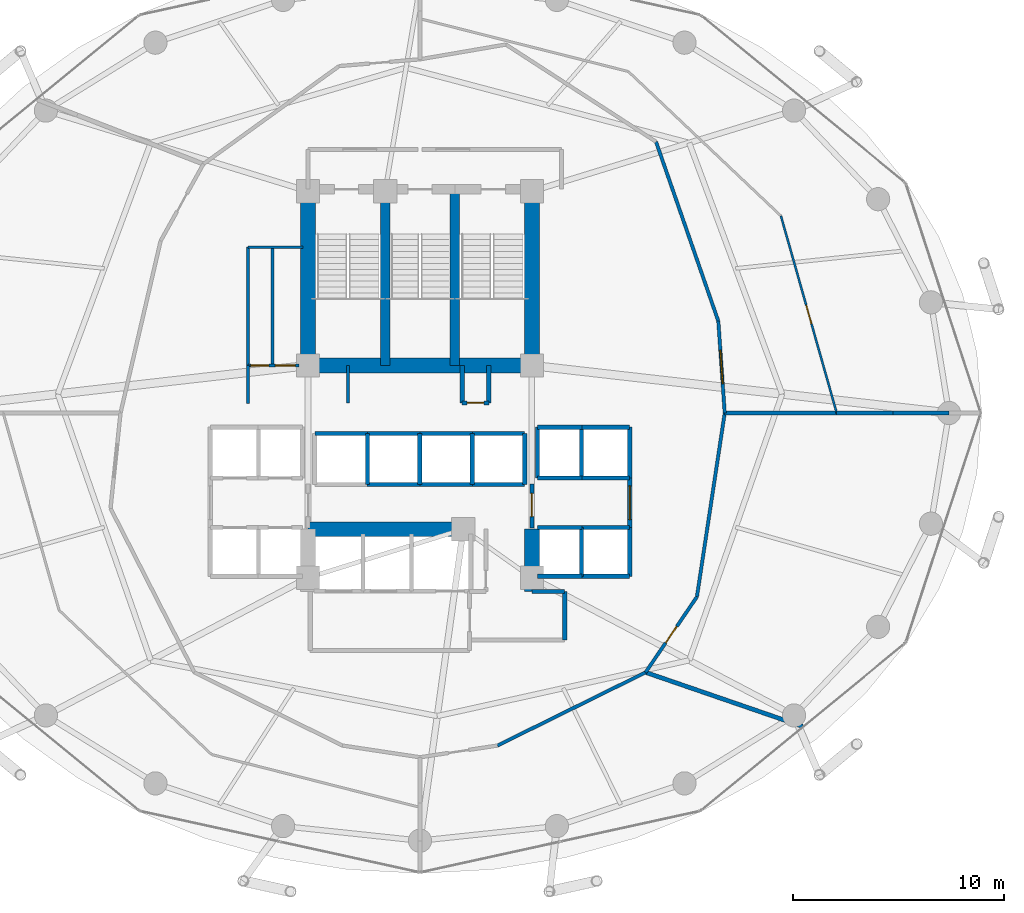
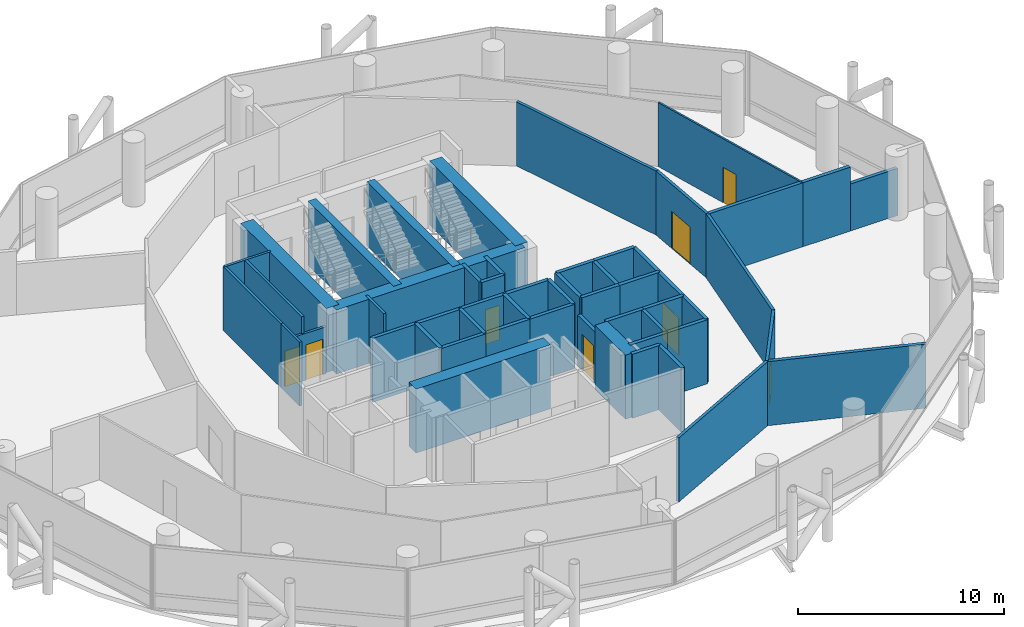
# One storey, part 22 of 24: 54 walls, 8 doors, 8 openings.
"""IFC4 building model written with IfcOpenShell, lengths in metres."""

from ifc_helpers import new_model, si_unit, direction, frame, frame_2d, origin, place, context, subcontext, project, spatial, rectangle, extrude, material, layer, layer_set, type_object, element, fill, save


model = new_model("IFC4")

# Units and contexts
model_context = context("Model", 3, precision=1e-05, world=origin(), true_north=direction((0.0, 1.0)))
body_context = subcontext(model_context, "Body", "Model", "MODEL_VIEW")
ifc_project = project(units=[si_unit("LENGTHUNIT", "METRE"), si_unit("AREAUNIT", "SQUARE_METRE"), si_unit("VOLUMEUNIT", "CUBIC_METRE"), si_unit("PLANEANGLEUNIT", "RADIAN"), si_unit("MASSUNIT", "GRAM", prefix="KILO")], contexts=[model_context])

# Site, building, storey
site_placement = place(None, origin())
site = spatial("IfcSite", under=ifc_project, at=site_placement, CompositionType="ELEMENT")
building_placement = place(site_placement, origin())
building = spatial("IfcBuilding", under=site, at=building_placement, Name="Nuhasar Tower", CompositionType="ELEMENT")
storey_placement = place(building_placement, frame((0.0, 0.0, 73.64990234375)))
storey = spatial("IfcBuildingStorey", under=building, at=storey_placement, Name="L17", CompositionType="ELEMENT", Elevation=73.64990234375)

# Walls
ifc_material_1 = material(Name="Concrete C50/60", Category="concrete")
ifc_layer_1 = layer(ifc_material_1, 0.449951171875)
ifc_layer_set_1 = layer_set([ifc_layer_1], Name="Concrete C50/60")
wall_type_1 = type_object("IfcWallType", Name="WL-CORE-450", PredefinedType="SHEAR", material=ifc_layer_set_1)
for number, where, z_axis, x_axis, name in (
    (1, (37.35009765625, 29.050048828125, 0.0), (0.0, 0.0, 1.0), (0.0, 1.0, 0.0), "L17 Stairwell Shear Wall ST01-E"),
    (2, (40.64990234375, 29.050048828125, 0.0), (0.0, 0.0, 1.0), (0.0, 1.0, 0.0), "L17 Stairwell Shear Wall ST03-E"),
):
    element("IfcWall", number, at=place(storey_placement, frame(where, z_axis=z_axis, x_axis=x_axis)), inside=storey, type_object=wall_type_1, Name=name, PredefinedType="SHEAR", context=body_context, shape_type="SweptSolid", body=[
        extrude(rectangle(XDim=8.349853515625, YDim=0.449951171875, at=frame_2d((4.1748046875, 0.0))), origin(), (0.0, 0.0, 1.0), 3.800048828125),
    ])
ifc_material_2 = material(Name="Concrete C65/80", Category="concrete")
ifc_layer_2 = layer(ifc_material_2, 0.699951171875)
ifc_layer_set_2 = layer_set([ifc_layer_2], Name="Concrete C65/80")
wall_type_2 = type_object("IfcWallType", Name="WL-CORE-700", PredefinedType="SHEAR", material=ifc_layer_set_2)
for number, where, z_axis, x_axis, name in (
    (3, (33.699951171875, 29.050048828125, 0.0), (0.0, 0.0, 1.0), (0.0, 1.0, 0.0), "L17 Core Shear Wall CW-NW CW-700"),
    (4, (44.300048828125, 29.050048828125, 0.0), (0.0, 0.0, 1.0), (0.0, 1.0, 0.0), "L17 Core Shear Wall CW-NE CW-700"),
):
    element("IfcWall", number, at=place(storey_placement, frame(where, z_axis=z_axis, x_axis=x_axis)), inside=storey, type_object=wall_type_2, Name=name, PredefinedType="SHEAR", context=body_context, shape_type="SweptSolid", body=[
        extrude(rectangle(XDim=8.349853515625, YDim=0.699951171875, at=frame_2d((4.1748046875, 0.0))), origin(), (0.0, 0.0, 1.0), 3.800048828125),
    ])
wall_1_placement = place(storey_placement, frame((44.300048828125, 18.35009765625, 0.0), z_axis=(0.0, 0.0, 1.0), x_axis=(0.0, 1.0, 0.0)))
element("IfcWall", 5, at=wall_1_placement, inside=storey, type_object=wall_type_2, Name="L17 Core Shear Wall CW-SE CW-700", PredefinedType="SHEAR", context=body_context, shape_type="SweptSolid", body=[
    extrude(rectangle(XDim=2.949951171875, YDim=0.699951171875, at=frame_2d((1.47509765625, 0.0))), origin(), (0.0, 0.0, 1.0), 3.800048828125),
])
wall_2_placement = place(storey_placement, frame((33.699951171875, 29.050048828125, 0.0), z_axis=(0.0, 0.0, 1.0), x_axis=(1.0, 0.0, 0.0)))
element("IfcWall", 6, at=wall_2_placement, inside=storey, type_object=wall_type_2, Name="L17 Core Shear Wall CW-N1 CW-700", PredefinedType="SHEAR", context=body_context, shape_type="SweptSolid", body=[
    extrude(rectangle(XDim=10.60009765625, YDim=0.699951171875, at=frame_2d((5.300048828125, 0.0))), origin(), (0.0, 0.0, 1.0), 3.800048828125),
])
wall_3_placement = place(storey_placement, frame((33.699951171875, 21.300048828125, 0.0), z_axis=(0.0, 0.0, 1.0), x_axis=(1.0, 0.0, 0.0)))
element("IfcWall", 7, at=wall_3_placement, inside=storey, type_object=wall_type_2, Name="L17 Core Shear Wall CW-S1 CW-700", PredefinedType="SHEAR", context=body_context, shape_type="SweptSolid", body=[
    extrude(rectangle(XDim=7.550048828125, YDim=0.699951171875, at=frame_2d((3.77490234375, 0.0))), origin(), (0.0, 0.0, 1.0), 3.800048828125),
])

# Wall, opening, door
ifc_material_3 = material(Name="Gypsum Board", Category="gypsum")
ifc_layer_3 = layer(ifc_material_3, 0.159912109375)
ifc_layer_set_3 = layer_set([ifc_layer_3], Name="Gypsum Board")
wall_type_3 = type_object("IfcWallType", Name="WL-CORR-160", PredefinedType="PARTITIONING", material=ifc_layer_set_3)
wall_4_placement = place(storey_placement, frame((53.126953125, 31.15087890625, 0.0), z_axis=(0.0, 0.0, 1.0), x_axis=(0.06946871143, -0.997584130854, 0.0)))
wall_4 = element("IfcWall", 8, at=wall_4_placement, inside=storey, type_object=wall_type_3, Name="L17 Interior Partition CORR-00", PredefinedType="PARTITIONING", context=body_context, shape_type="SweptSolid", body=[
    extrude(rectangle(XDim=4.361328125, YDim=0.159912109375, at=frame_2d((2.1806640625, 0.0))), origin(), (0.0, 0.0, 1.0), 3.800048828125),
])
opening_1_placement = place(wall_4_placement, frame((1.381103515625, 0.0, 0.0)))
opening_1 = element("IfcOpeningElement", 9, at=opening_1_placement, cuts=wall_4, Name="Opening DC-01", PredefinedType="OPENING", context=body_context, shape_type="SweptSolid", body=[
    extrude(rectangle(XDim=1.60009765625, YDim=2.199951171875, at=frame_2d((0.800048828125, 1.10009765625))), frame((0.0, 0.08984375, 0.0), z_axis=(0.0, -1.0, 0.0), x_axis=(1.0, 0.0, 0.0)), (0.0, 0.0, 1.0), 0.179931640625),
])
ifc_material_4 = material(Name="Steel S355", Category="steel")
door_type_1 = type_object("IfcDoorType", Name="DR-CORR-FD60-1600", OperationType="DOUBLE_DOOR_SINGLE_SWING", PredefinedType="DOOR", material=ifc_material_4)
door_1_placement = place(opening_1_placement, origin())
door_1 = element("IfcDoor", 10, at=door_1_placement, inside=storey, type_object=door_type_1, Name="L17 East Industrial Design Studio Entry Door", OperationType="DOUBLE_DOOR_SINGLE_SWING", OverallHeight=2.199951171875, OverallWidth=1.60009765625, PredefinedType="DOOR", context=body_context, shape_type="SweptSolid", body=[
    extrude(rectangle(XDim=1.60009765625, YDim=2.199951171875, at=frame_2d((0.800048828125, 1.10009765625))), frame((0.0, 0.02490234375, 0.0), z_axis=(0.0, -1.0, 0.0), x_axis=(1.0, 0.0, 0.0)), (0.0, 0.0, 1.0), 0.050048828125),
])
fill(opening_1, door_1)

# Walls
wall_5_placement = place(storey_placement, frame((53.126953125, 31.15087890625, 0.0), z_axis=(0.0, 0.0, 1.0), x_axis=(-0.328134166286, 0.944631128492, 0.0)))
element("IfcWall", 11, at=wall_5_placement, inside=storey, type_object=wall_type_3, Name="L17 Interior Partition CORR-02", PredefinedType="PARTITIONING", context=body_context, shape_type="SweptSolid", body=[
    extrude(rectangle(XDim=8.9931640625, YDim=0.159912109375, at=frame_2d((4.49658203125, 0.0))), origin(), (0.0, 0.0, 1.0), 3.800048828125),
])
wall_6_placement = place(storey_placement, frame((42.669921875, 11.054931640625, 0.0), z_axis=(0.0, 0.0, 1.0), x_axis=(0.896539401739, 0.442963995296, 0.0)))
element("IfcWall", 12, at=wall_6_placement, inside=storey, type_object=wall_type_3, Name="L17 Interior Partition CORR-38", PredefinedType="PARTITIONING", context=body_context, shape_type="SweptSolid", body=[
    extrude(rectangle(XDim=7.822509765625, YDim=0.159912109375, at=frame_2d((3.9111328125, 0.0))), origin(), (0.0, 0.0, 1.0), 3.800048828125),
])

# Wall, opening, door
wall_7_placement = place(storey_placement, frame((52.113037109375, 18.096923828125, 0.0), z_axis=(0.0, 0.0, 1.0), x_axis=(-0.561936247527, -0.827180544812, 0.0)))
wall_7 = element("IfcWall", 13, at=wall_7_placement, inside=storey, type_object=wall_type_3, Name="L17 Interior Partition CORR-42", PredefinedType="PARTITIONING", context=body_context, shape_type="SweptSolid", body=[
    extrude(rectangle(XDim=4.32421875, YDim=0.159912109375, at=frame_2d((2.162109375, 0.0))), origin(), (0.0, 0.0, 1.0), 3.800048828125),
])
opening_2_placement = place(wall_7_placement, frame((1.68701171875, 0.0, 0.0)))
opening_2 = element("IfcOpeningElement", 14, at=opening_2_placement, cuts=wall_7, Name="Opening DO-01", PredefinedType="OPENING", context=body_context, shape_type="SweptSolid", body=[
    extrude(rectangle(XDim=0.949951171875, YDim=2.14990234375, at=frame_2d((0.47509765625, 1.074951171875))), frame((0.0, 0.08984375, 0.0), z_axis=(0.0, -1.0, 0.0), x_axis=(1.0, 0.0, 0.0)), (0.0, 0.0, 1.0), 0.179931640625),
])
ifc_material_5 = material(Name="Timber Oak", Category="wood")
door_type_2 = type_object("IfcDoorType", Name="DR-OFFICE-FD30-950", OperationType="NOTDEFINED", PredefinedType="DOOR", material=ifc_material_5)
door_2_placement = place(opening_2_placement, origin())
door_2 = element("IfcDoor", 15, at=door_2_placement, inside=storey, type_object=door_type_2, Name="L17 Prototype Material Store Entry Door", OperationType="SINGLE_SWING_LEFT", OverallHeight=2.14990234375, OverallWidth=0.949951171875, PredefinedType="DOOR", context=body_context, shape_type="SweptSolid", body=[
    extrude(rectangle(XDim=0.949951171875, YDim=2.14990234375, at=frame_2d((0.47509765625, 1.074951171875))), frame((0.0, 0.02490234375, 0.0), z_axis=(0.0, -1.0, 0.0), x_axis=(1.0, 0.0, 0.0)), (0.0, 0.0, 1.0), 0.050048828125),
])
fill(opening_2, door_2)

# Wall
wall_8_placement = place(storey_placement, frame((52.113037109375, 18.096923828125, 0.0), z_axis=(0.0, 0.0, 1.0), x_axis=(0.149609827819, 0.988745113475, 0.0)))
element("IfcWall", 16, at=wall_8_placement, inside=storey, type_object=wall_type_3, Name="L17 Interior Partition CORR-44", PredefinedType="PARTITIONING", context=body_context, shape_type="SweptSolid", body=[
    extrude(rectangle(XDim=8.80224609375, YDim=0.159912109375, at=frame_2d((4.401123046875, 0.0))), origin(), (0.0, 0.0, 1.0), 3.800048828125),
])

# Wall, opening, door
ifc_material_6 = material(Name="Concrete C45/55", Category="concrete")
ifc_layer_4 = layer(ifc_material_6, 0.199951171875)
ifc_layer_set_4 = layer_set([ifc_layer_4], Name="Concrete C45/55")
wall_type_4 = type_object("IfcWallType", Name="WL-LOBBY-200", PredefinedType="SOLIDWALL", material=ifc_layer_set_4)
wall_9_placement = place(storey_placement, frame((48.929931640625, 21.3798828125, 0.0), z_axis=(0.0, 0.0, 1.0), x_axis=(0.0, 1.0, 0.0)))
wall_9 = element("IfcWall", 17, at=wall_9_placement, inside=storey, type_object=wall_type_4, Name="L17 Interior Partition LLBM-E", PredefinedType="SOLIDWALL", context=body_context, shape_type="SweptSolid", body=[
    extrude(rectangle(XDim=2.340087890625, YDim=0.199951171875, at=frame_2d((1.169921875, 0.0))), origin(), (0.0, 0.0, 1.0), 3.800048828125),
])
opening_3_placement = place(wall_9_placement, frame((0.3701171875, 0.0, 0.0)))
opening_3 = element("IfcOpeningElement", 18, at=opening_3_placement, cuts=wall_9, Name="Opening DC-01", PredefinedType="OPENING", context=body_context, shape_type="SweptSolid", body=[
    extrude(rectangle(XDim=1.60009765625, YDim=2.199951171875, at=frame_2d((0.800048828125, 1.10009765625))), frame((0.0, 0.10986328125, 0.0), z_axis=(0.0, -1.0, 0.0), x_axis=(1.0, 0.0, 0.0)), (0.0, 0.0, 1.0), 0.219970703125),
])
door_3_placement = place(opening_3_placement, origin())
door_3 = element("IfcDoor", 19, at=door_3_placement, inside=storey, type_object=door_type_1, Name="L17 Mid-Rise Lift Lobby East Entry", OperationType="DOUBLE_DOOR_SINGLE_SWING", OverallHeight=2.199951171875, OverallWidth=1.60009765625, PredefinedType="DOOR", context=body_context, shape_type="SweptSolid", body=[
    extrude(rectangle(XDim=1.60009765625, YDim=2.199951171875, at=frame_2d((0.800048828125, 1.10009765625))), frame((0.0, 0.02490234375, 0.0), z_axis=(0.0, -1.0, 0.0), x_axis=(1.0, 0.0, 0.0)), (0.0, 0.0, 1.0), 0.050048828125),
])
fill(opening_3, door_3)

wall_10_placement = place(storey_placement, frame((44.300048828125, 21.35009765625, 0.0), z_axis=(0.0, 0.0, 1.0), x_axis=(0.0, 1.0, 0.0)))
wall_10 = element("IfcWall", 20, at=wall_10_placement, inside=storey, type_object=wall_type_4, Name="L17 Interior Partition LLBH-E", PredefinedType="SOLIDWALL", context=body_context, shape_type="SweptSolid", body=[
    extrude(rectangle(XDim=2.099853515625, YDim=0.199951171875, at=frame_2d((1.0498046875, 0.0))), origin(), (0.0, 0.0, 1.0), 3.02001953125),
])
opening_4_placement = place(wall_10_placement, frame((0.550048828125, 0.0, 0.0)))
opening_4 = element("IfcOpeningElement", 21, at=opening_4_placement, cuts=wall_10, Name="Opening DS-02", PredefinedType="OPENING", context=body_context, shape_type="SweptSolid", body=[
    extrude(rectangle(XDim=1.10009765625, YDim=2.14990234375, at=frame_2d((0.550048828125, 1.074951171875))), frame((0.0, 0.10986328125, 0.0), z_axis=(0.0, -1.0, 0.0), x_axis=(1.0, 0.0, 0.0)), (0.0, 0.0, 1.0), 0.219970703125),
])
door_type_3 = type_object("IfcDoorType", Name="DR-FFL-FD120-1100", OperationType="NOTDEFINED", PredefinedType="DOOR", material=ifc_material_4)
door_4_placement = place(opening_4_placement, origin())
door_4 = element("IfcDoor", 22, at=door_4_placement, inside=storey, type_object=door_type_3, Name="L17 High-Rise Lobby East Door", OperationType="SINGLE_SWING_RIGHT", OverallHeight=2.14990234375, OverallWidth=1.10009765625, PredefinedType="DOOR", context=body_context, shape_type="SweptSolid", body=[
    extrude(rectangle(XDim=1.10009765625, YDim=2.14990234375, at=frame_2d((0.550048828125, 1.074951171875))), frame((0.0, 0.02490234375, 0.0), z_axis=(0.0, -1.0, 0.0), x_axis=(1.0, 0.0, 0.0)), (0.0, 0.0, 1.0), 0.050048828125),
])
fill(opening_4, door_4)

# Walls
wall_11_placement = place(storey_placement, frame((45.85009765625, 16.050048828125, 0.0), z_axis=(0.0, 0.0, 1.0), x_axis=(0.0, 1.0, 0.0)))
element("IfcWall", 23, at=wall_11_placement, inside=storey, type_object=wall_type_4, Name="L17 Interior Partition SVLV-E", PredefinedType="SOLIDWALL", context=body_context, shape_type="SweptSolid", body=[
    extrude(rectangle(XDim=2.300048828125, YDim=0.199951171875, at=frame_2d((1.14990234375, 0.0))), origin(), (0.0, 0.0, 1.0), 3.800048828125),
])
wall_12_placement = place(storey_placement, frame((44.300048828125, 18.35009765625, 0.0), z_axis=(0.0, 0.0, 1.0), x_axis=(1.0, 0.0, 0.0)))
element("IfcWall", 24, at=wall_12_placement, inside=storey, type_object=wall_type_4, Name="L17 Interior Partition SVLV-N", PredefinedType="SOLIDWALL", context=body_context, shape_type="SweptSolid", body=[
    extrude(rectangle(XDim=1.550048828125, YDim=0.199951171875, at=frame_2d((0.77490234375, 0.0))), origin(), (0.0, 0.0, 1.0), 3.800048828125),
])

# Wall, opening, door
ifc_material_7 = material(Name="Aluminium 6063-T6", Category="aluminium")
ifc_layer_5 = layer(ifc_material_7, 0.10009765625)
ifc_layer_set_5 = layer_set([ifc_layer_5], Name="Aluminium 6063-T6")
wall_type_5 = type_object("IfcWallType", Name="WL-MOVABLE-100", PredefinedType="MOVABLE", material=ifc_layer_set_5)
wall_13_placement = place(storey_placement, frame((56.090087890625, 36.135986328125, 0.0), z_axis=(0.0, 0.0, 1.0), x_axis=(0.27247058522, -0.962164112919, 0.0)))
wall_13 = element("IfcWall", 25, at=wall_13_placement, inside=storey, type_object=wall_type_5, Name="L17 Interior Partition OMID-01-00", PredefinedType="MOVABLE", context=body_context, shape_type="SweptSolid", body=[
    extrude(rectangle(XDim=9.703125, YDim=0.10009765625, at=frame_2d((4.8515625, 0.0))), origin(), (0.0, 0.0, 1.0), 3.800048828125),
])
opening_5_placement = place(wall_13_placement, frame((4.402099609375, 0.0, 0.0)))
opening_5 = element("IfcOpeningElement", 26, at=opening_5_placement, cuts=wall_13, Name="Opening DR-01", PredefinedType="OPENING", context=body_context, shape_type="SweptSolid", body=[
    extrude(rectangle(XDim=0.89990234375, YDim=2.10009765625, at=frame_2d((0.449951171875, 1.050048828125))), frame((0.0, 0.06005859375, 0.0), z_axis=(0.0, -1.0, 0.0), x_axis=(1.0, 0.0, 0.0)), (0.0, 0.0, 1.0), 0.1201171875),
])
door_type_4 = type_object("IfcDoorType", Name="DR-ROOM-900", OperationType="NOTDEFINED", PredefinedType="DOOR", material=ifc_material_5)
door_5_placement = place(opening_5_placement, origin())
door_5 = element("IfcDoor", 27, at=door_5_placement, inside=storey, type_object=door_type_4, Name="L17 East Industrial Design Studio Inner Door", OperationType="SINGLE_SWING_LEFT", OverallHeight=2.10009765625, OverallWidth=0.89990234375, PredefinedType="DOOR", context=body_context, shape_type="SweptSolid", body=[
    extrude(rectangle(XDim=0.89990234375, YDim=2.10009765625, at=frame_2d((0.449951171875, 1.050048828125))), frame((0.0, 0.02490234375, 0.0), z_axis=(0.0, -1.0, 0.0), x_axis=(1.0, 0.0, 0.0)), (0.0, 0.0, 1.0), 0.050048828125),
])
fill(opening_5, door_5)

# Walls
ifc_layer_6 = layer(ifc_material_6, 0.199951171875)
ifc_layer_set_6 = layer_set([ifc_layer_6], Name="Concrete C45/55")
wall_type_6 = type_object("IfcWallType", Name="WL-SHAFT-200", PredefinedType="SOLIDWALL", material=ifc_layer_set_6)
for number, where, z_axis, x_axis, name in (
    (28, (41.0, 27.280029296875, 0.0), (0.0, 0.0, 1.0), (0.0, 1.0, 0.0), "L17 Interior Partition RSRN-W"),
    (29, (42.260009765625, 27.280029296875, 0.0), (0.0, 0.0, 1.0), (0.0, 1.0, 0.0), "L17 Interior Partition RSRN-E"),
):
    element("IfcWall", number, at=place(storey_placement, frame(where, z_axis=z_axis, x_axis=x_axis)), inside=storey, type_object=wall_type_6, Name=name, PredefinedType="SOLIDWALL", context=body_context, shape_type="SweptSolid", body=[
        extrude(rectangle(XDim=1.77001953125, YDim=0.199951171875, at=frame_2d((0.885009765625, 0.0))), origin(), (0.0, 0.0, 1.0), 3.800048828125),
    ])

# Wall, opening, door
wall_14_placement = place(storey_placement, frame((41.0, 27.280029296875, 0.0), z_axis=(0.0, 0.0, 1.0), x_axis=(1.0, 0.0, 0.0)))
wall_14 = element("IfcWall", 30, at=wall_14_placement, inside=storey, type_object=wall_type_6, Name="L17 Interior Partition RSRN-S", PredefinedType="SOLIDWALL", context=body_context, shape_type="SweptSolid", body=[
    extrude(rectangle(XDim=1.260009765625, YDim=0.199951171875, at=frame_2d((0.6298828125, 0.0))), origin(), (0.0, 0.0, 1.0), 3.800048828125),
])
opening_6_placement = place(wall_14_placement, frame((0.22998046875, 0.0, 0.0)))
opening_6 = element("IfcOpeningElement", 31, at=opening_6_placement, cuts=wall_14, Name="Opening DM-01", PredefinedType="OPENING", context=body_context, shape_type="SweptSolid", body=[
    extrude(rectangle(XDim=0.800048828125, YDim=2.050048828125, at=frame_2d((0.39990234375, 1.02490234375))), frame((0.0, 0.10986328125, 0.0), z_axis=(0.0, -1.0, 0.0), x_axis=(1.0, 0.0, 0.0)), (0.0, 0.0, 1.0), 0.219970703125),
])
door_type_5 = type_object("IfcDoorType", Name="DR-RISER-FD60-800", OperationType="NOTDEFINED", PredefinedType="DOOR", material=ifc_material_4)
door_6_placement = place(opening_6_placement, origin())
door_6 = element("IfcDoor", 32, at=door_6_placement, inside=storey, type_object=door_type_5, Name="L17 North Smoke Riser Door", OperationType="SINGLE_SWING_RIGHT", OverallHeight=2.050048828125, OverallWidth=0.800048828125, PredefinedType="DOOR", context=body_context, shape_type="SweptSolid", body=[
    extrude(rectangle(XDim=0.800048828125, YDim=2.050048828125, at=frame_2d((0.39990234375, 1.02490234375))), frame((0.0, 0.02490234375, 0.0), z_axis=(0.0, -1.0, 0.0), x_axis=(1.0, 0.0, 0.0)), (0.0, 0.0, 1.0), 0.050048828125),
])
fill(opening_6, door_6)

# Walls
for number, where, z_axis, x_axis, name in (
    (33, (44.570068359375, 23.719970703125, 0.0), (0.0, 0.0, 1.0), (1.0, 0.0, 0.0), "L17 Interior Partition SHF-PL-M01-S"),
    (34, (44.570068359375, 26.1298828125, 0.0), (0.0, 0.0, 1.0), (1.0, 0.0, 0.0), "L17 Interior Partition SHF-PL-M01-N"),
):
    element("IfcWall", number, at=place(storey_placement, frame(where, z_axis=z_axis, x_axis=x_axis)), inside=storey, type_object=wall_type_6, Name=name, PredefinedType="SOLIDWALL", context=body_context, shape_type="SweptSolid", body=[
        extrude(rectangle(XDim=2.10986328125, YDim=0.199951171875, at=frame_2d((1.054931640625, 0.0))), origin(), (0.0, 0.0, 1.0), 3.800048828125),
    ])
for number, where, z_axis, x_axis, name in (
    (35, (44.570068359375, 23.719970703125, 0.0), (0.0, 0.0, 1.0), (0.0, 1.0, 0.0), "L17 Interior Partition SHF-PL-M01-W"),
    (36, (46.64990234375, 23.719970703125, 0.0), (0.0, 0.0, 1.0), (0.0, 1.0, 0.0), "L17 Interior Partition SHF-PL-M01-E"),
):
    element("IfcWall", number, at=place(storey_placement, frame(where, z_axis=z_axis, x_axis=x_axis)), inside=storey, type_object=wall_type_6, Name=name, PredefinedType="SOLIDWALL", context=body_context, shape_type="SweptSolid", body=[
        extrude(rectangle(XDim=2.409912109375, YDim=0.199951171875, at=frame_2d((1.205078125, 0.0))), origin(), (0.0, 0.0, 1.0), 3.800048828125),
    ])
for number, where, z_axis, x_axis, name in (
    (37, (46.6201171875, 23.719970703125, 0.0), (0.0, 0.0, 1.0), (1.0, 0.0, 0.0), "L17 Interior Partition SHF-PL-M02-S"),
    (38, (46.6201171875, 26.1298828125, 0.0), (0.0, 0.0, 1.0), (1.0, 0.0, 0.0), "L17 Interior Partition SHF-PL-M02-N"),
):
    element("IfcWall", number, at=place(storey_placement, frame(where, z_axis=z_axis, x_axis=x_axis)), inside=storey, type_object=wall_type_6, Name=name, PredefinedType="SOLIDWALL", context=body_context, shape_type="SweptSolid", body=[
        extrude(rectangle(XDim=2.309814453125, YDim=0.199951171875, at=frame_2d((1.15478515625, 0.0))), origin(), (0.0, 0.0, 1.0), 3.800048828125),
    ])
wall_15_placement = place(storey_placement, frame((48.929931640625, 23.719970703125, 0.0), z_axis=(0.0, 0.0, 1.0), x_axis=(0.0, 1.0, 0.0)))
element("IfcWall", 39, at=wall_15_placement, inside=storey, type_object=wall_type_6, Name="L17 Interior Partition SHF-PL-M02-E", PredefinedType="SOLIDWALL", context=body_context, shape_type="SweptSolid", body=[
    extrude(rectangle(XDim=2.409912109375, YDim=0.199951171875, at=frame_2d((1.205078125, 0.0))), origin(), (0.0, 0.0, 1.0), 3.800048828125),
])
for number, where, z_axis, x_axis, name in (
    (40, (44.570068359375, 19.070068359375, 0.0), (0.0, 0.0, 1.0), (1.0, 0.0, 0.0), "L17 Interior Partition SHF-PL-M03-S"),
    (41, (44.570068359375, 21.3798828125, 0.0), (0.0, 0.0, 1.0), (1.0, 0.0, 0.0), "L17 Interior Partition SHF-PL-M03-N"),
):
    element("IfcWall", number, at=place(storey_placement, frame(where, z_axis=z_axis, x_axis=x_axis)), inside=storey, type_object=wall_type_6, Name=name, PredefinedType="SOLIDWALL", context=body_context, shape_type="SweptSolid", body=[
        extrude(rectangle(XDim=2.10986328125, YDim=0.199951171875, at=frame_2d((1.054931640625, 0.0))), origin(), (0.0, 0.0, 1.0), 3.800048828125),
    ])
for number, where, z_axis, x_axis, name in (
    (42, (46.64990234375, 19.070068359375, 0.0), (0.0, 0.0, 1.0), (0.0, 1.0, 0.0), "L17 Interior Partition SHF-PL-M03-E"),
    (43, (46.6201171875, 19.070068359375, 0.0), (0.0, 0.0, 1.0), (1.0, 0.0, 0.0), "L17 Interior Partition SHF-PL-M04-S"),
    (44, (46.6201171875, 21.3798828125, 0.0), (0.0, 0.0, 1.0), (1.0, 0.0, 0.0), "L17 Interior Partition SHF-PL-M04-N"),
    (45, (48.929931640625, 19.070068359375, 0.0), (0.0, 0.0, 1.0), (0.0, 1.0, 0.0), "L17 Interior Partition SHF-PL-M04-E"),
):
    element("IfcWall", number, at=place(storey_placement, frame(where, z_axis=z_axis, x_axis=x_axis)), inside=storey, type_object=wall_type_6, Name=name, PredefinedType="SOLIDWALL", context=body_context, shape_type="SweptSolid", body=[
        extrude(rectangle(XDim=2.309814453125, YDim=0.199951171875, at=frame_2d((1.15478515625, 0.0))), origin(), (0.0, 0.0, 1.0), 3.800048828125),
    ])
wall_16_placement = place(storey_placement, frame((34.02001953125, 25.830078125, 0.0), z_axis=(0.0, 0.0, 1.0), x_axis=(1.0, 0.0, 0.0)))
element("IfcWall", 46, at=wall_16_placement, inside=storey, type_object=wall_type_6, Name="L17 Interior Partition SHF-PL-H01-N", PredefinedType="SOLIDWALL", context=body_context, shape_type="SweptSolid", body=[
    extrude(rectangle(XDim=2.5, YDim=0.199951171875, at=frame_2d((1.25, 0.0))), origin(), (0.0, 0.0, 1.0), 3.800048828125),
])
wall_17_placement = place(storey_placement, frame((36.510009765625, 23.419921875, 0.0), z_axis=(0.0, 0.0, 1.0), x_axis=(0.0, 1.0, 0.0)))
element("IfcWall", 47, at=wall_17_placement, inside=storey, type_object=wall_type_6, Name="L17 Interior Partition SHF-PL-H01-E", PredefinedType="SOLIDWALL", context=body_context, shape_type="SweptSolid", body=[
    extrude(rectangle(XDim=2.41015625, YDim=0.199951171875, at=frame_2d((1.205078125, 0.0))), origin(), (0.0, 0.0, 1.0), 3.800048828125),
])
for number, where, z_axis, x_axis, name in (
    (48, (36.5, 23.419921875, 0.0), (0.0, 0.0, 1.0), (1.0, 0.0, 0.0), "L17 Interior Partition SHF-PL-H02-S"),
    (49, (36.5, 25.830078125, 0.0), (0.0, 0.0, 1.0), (1.0, 0.0, 0.0), "L17 Interior Partition SHF-PL-H02-N"),
):
    element("IfcWall", number, at=place(storey_placement, frame(where, z_axis=z_axis, x_axis=x_axis)), inside=storey, type_object=wall_type_6, Name=name, PredefinedType="SOLIDWALL", context=body_context, shape_type="SweptSolid", body=[
        extrude(rectangle(XDim=2.5, YDim=0.199951171875, at=frame_2d((1.25, 0.0))), origin(), (0.0, 0.0, 1.0), 3.800048828125),
    ])
wall_18_placement = place(storey_placement, frame((38.989990234375, 23.419921875, 0.0), z_axis=(0.0, 0.0, 1.0), x_axis=(0.0, 1.0, 0.0)))
element("IfcWall", 50, at=wall_18_placement, inside=storey, type_object=wall_type_6, Name="L17 Interior Partition SHF-PL-H02-E", PredefinedType="SOLIDWALL", context=body_context, shape_type="SweptSolid", body=[
    extrude(rectangle(XDim=2.41015625, YDim=0.199951171875, at=frame_2d((1.205078125, 0.0))), origin(), (0.0, 0.0, 1.0), 3.800048828125),
])
for number, where, z_axis, x_axis, name in (
    (51, (38.97998046875, 23.419921875, 0.0), (0.0, 0.0, 1.0), (1.0, 0.0, 0.0), "L17 Interior Partition SHF-PL-H03-S"),
    (52, (38.97998046875, 25.830078125, 0.0), (0.0, 0.0, 1.0), (1.0, 0.0, 0.0), "L17 Interior Partition SHF-PL-H03-N"),
):
    element("IfcWall", number, at=place(storey_placement, frame(where, z_axis=z_axis, x_axis=x_axis)), inside=storey, type_object=wall_type_6, Name=name, PredefinedType="SOLIDWALL", context=body_context, shape_type="SweptSolid", body=[
        extrude(rectangle(XDim=2.5, YDim=0.199951171875, at=frame_2d((1.25, 0.0))), origin(), (0.0, 0.0, 1.0), 3.800048828125),
    ])
wall_19_placement = place(storey_placement, frame((41.469970703125, 23.419921875, 0.0), z_axis=(0.0, 0.0, 1.0), x_axis=(0.0, 1.0, 0.0)))
element("IfcWall", 53, at=wall_19_placement, inside=storey, type_object=wall_type_6, Name="L17 Interior Partition SHF-PL-H03-E", PredefinedType="SOLIDWALL", context=body_context, shape_type="SweptSolid", body=[
    extrude(rectangle(XDim=2.41015625, YDim=0.199951171875, at=frame_2d((1.205078125, 0.0))), origin(), (0.0, 0.0, 1.0), 3.800048828125),
])
for number, where, z_axis, x_axis, name in (
    (54, (41.4599609375, 23.419921875, 0.0), (0.0, 0.0, 1.0), (1.0, 0.0, 0.0), "L17 Interior Partition SHF-PL-H04-S"),
    (55, (41.4599609375, 25.830078125, 0.0), (0.0, 0.0, 1.0), (1.0, 0.0, 0.0), "L17 Interior Partition SHF-PL-H04-N"),
):
    element("IfcWall", number, at=place(storey_placement, frame(where, z_axis=z_axis, x_axis=x_axis)), inside=storey, type_object=wall_type_6, Name=name, PredefinedType="SOLIDWALL", context=body_context, shape_type="SweptSolid", body=[
        extrude(rectangle(XDim=2.5, YDim=0.199951171875, at=frame_2d((1.25, 0.0))), origin(), (0.0, 0.0, 1.0), 3.800048828125),
    ])
wall_20_placement = place(storey_placement, frame((43.9599609375, 23.419921875, 0.0), z_axis=(0.0, 0.0, 1.0), x_axis=(0.0, 1.0, 0.0)))
element("IfcWall", 56, at=wall_20_placement, inside=storey, type_object=wall_type_6, Name="L17 Interior Partition SHF-PL-H04-E", PredefinedType="SOLIDWALL", context=body_context, shape_type="SweptSolid", body=[
    extrude(rectangle(XDim=2.41015625, YDim=0.199951171875, at=frame_2d((1.205078125, 0.0))), origin(), (0.0, 0.0, 1.0), 3.800048828125),
])
ifc_material_8 = material(Name="Concrete C40/50 precast", Category="concrete")
ifc_layer_7 = layer(ifc_material_8, 0.199951171875)
ifc_layer_set_7 = layer_set([ifc_layer_7], Name="Concrete C40/50 precast")
wall_type_7 = type_object("IfcWallType", Name="WL-UNIT-200", PredefinedType="PARTITIONING", material=ifc_layer_set_7)
wall_21_placement = place(storey_placement, frame((53.429931640625, 26.800048828125, 0.0), z_axis=(0.0, 0.0, 1.0), x_axis=(1.0, 0.0, 0.0)))
element("IfcWall", 57, at=wall_21_placement, inside=storey, type_object=wall_type_7, Name="L17 Interior Partition ORAD-00-S1", PredefinedType="PARTITIONING", context=body_context, shape_type="SweptSolid", body=[
    extrude(rectangle(XDim=5.303955078125, YDim=0.199951171875, at=frame_2d((2.65185546875, 0.0))), origin(), (0.0, 0.0, 1.0), 3.800048828125),
])
wall_22_placement = place(storey_placement, frame((58.73388671875, 26.800048828125, 0.0), z_axis=(0.0, 0.0, 1.0), x_axis=(1.0, 0.0, 0.0)))
element("IfcWall", 58, at=wall_22_placement, inside=storey, type_object=wall_type_7, Name="L17 Interior Partition ORAD-00-S2", PredefinedType="PARTITIONING", context=body_context, shape_type="SweptSolid", body=[
    extrude(rectangle(XDim=2.6669921875, YDim=0.199951171875, at=frame_2d((1.33349609375, 0.0))), origin(), (0.0, 0.0, 1.0), 3.800048828125),
])
wall_23_placement = place(storey_placement, frame((61.40087890625, 26.800048828125, 0.0), z_axis=(0.0, 0.0, 1.0), x_axis=(1.0, 0.0, 0.0)))
element("IfcWall", 59, at=wall_23_placement, inside=storey, type_object=wall_type_7, Name="L17 Interior Partition ORAD-00-S2", PredefinedType="PARTITIONING", context=body_context, shape_type="SweptSolid", body=[
    extrude(rectangle(XDim=2.66015625, YDim=0.199951171875, at=frame_2d((1.330078125, 0.0))), origin(), (0.0, 0.0, 1.0), 2.7900390625),
])
wall_24_placement = place(storey_placement, frame((49.68310546875, 14.52001953125, 0.0), z_axis=(0.0, 0.0, 1.0), x_axis=(0.945541816257, -0.325500650859, 0.0)))
element("IfcWall", 60, at=wall_24_placement, inside=storey, type_object=wall_type_7, Name="L17 Interior Partition ORAD-42", PredefinedType="PARTITIONING", context=body_context, shape_type="SweptSolid", body=[
    extrude(rectangle(XDim=7.862060546875, YDim=0.199951171875, at=frame_2d((3.93115234375, 0.0))), origin(), (0.0, 0.0, 1.0), 3.800048828125),
])
ifc_layer_8 = layer(ifc_material_8, 0.139892578125)
ifc_layer_set_8 = layer_set([ifc_layer_8], Name="Concrete C40/50 precast")
wall_type_8 = type_object("IfcWallType", Name="WL-WET-140", PredefinedType="PARTITIONING", material=ifc_layer_set_8)
wall_25_placement = place(storey_placement, frame((35.60009765625, 27.280029296875, 0.0), z_axis=(0.0, 0.0, 1.0), x_axis=(0.0, 1.0, 0.0)))
element("IfcWall", 61, at=wall_25_placement, inside=storey, type_object=wall_type_8, Name="L17 Interior Partition CSVC-W", PredefinedType="PARTITIONING", context=body_context, shape_type="SweptSolid", body=[
    extrude(rectangle(XDim=1.77001953125, YDim=0.139892578125, at=frame_2d((0.885009765625, 0.0))), origin(), (0.0, 0.0, 1.0), 3.800048828125),
])
wall_26_placement = place(storey_placement, frame((30.85009765625, 27.239990234375, 0.0), z_axis=(0.0, 0.0, 1.0), x_axis=(0.0, 1.0, 0.0)))
element("IfcWall", 62, at=wall_26_placement, inside=storey, type_object=wall_type_8, Name="L17 Interior Partition K2-FOY-W", PredefinedType="PARTITIONING", context=body_context, shape_type="SweptSolid", body=[
    extrude(rectangle(XDim=1.81005859375, YDim=0.139892578125, at=frame_2d((0.905029296875, 0.0))), origin(), (0.0, 0.0, 1.0), 3.800048828125),
])

# Wall, openings, doors
wall_27_placement = place(storey_placement, frame((30.85009765625, 29.050048828125, 0.0), z_axis=(0.0, 0.0, 1.0), x_axis=(1.0, 0.0, 0.0)))
wall_27 = element("IfcWall", 63, at=wall_27_placement, inside=storey, type_object=wall_type_8, Name="L17 Interior Partition K2-NW-S", PredefinedType="PARTITIONING", context=body_context, shape_type="SweptSolid", body=[
    extrude(rectangle(XDim=2.429931640625, YDim=0.139892578125, at=frame_2d((1.21484375, 0.0))), origin(), (0.0, 0.0, 1.0), 2.7900390625),
])
opening_7_placement = place(wall_27_placement, frame((0.139892578125, 0.0, 0.0)))
opening_7 = element("IfcOpeningElement", 64, at=opening_7_placement, cuts=wall_27, Name="Opening DB-01", PredefinedType="OPENING", context=body_context, shape_type="SweptSolid", body=[
    extrude(rectangle(XDim=0.85009765625, YDim=2.10009765625, at=frame_2d((0.425048828125, 1.050048828125))), frame((0.0, 0.080078125, 0.0), z_axis=(0.0, -1.0, 0.0), x_axis=(1.0, 0.0, 0.0)), (0.0, 0.0, 1.0), 0.159912109375),
])
opening_8_placement = place(wall_27_placement, frame((1.300048828125, 0.0, 0.0)))
opening_8 = element("IfcOpeningElement", 65, at=opening_8_placement, cuts=wall_27, Name="Opening DA-01", PredefinedType="OPENING", context=body_context, shape_type="SweptSolid", body=[
    extrude(rectangle(XDim=0.949951171875, YDim=2.10009765625, at=frame_2d((0.47509765625, 1.050048828125))), frame((0.0, 0.080078125, 0.0), z_axis=(0.0, -1.0, 0.0), x_axis=(1.0, 0.0, 0.0)), (0.0, 0.0, 1.0), 0.159912109375),
])
door_type_6 = type_object("IfcDoorType", Name="DR-ACCWC-950", OperationType="NOTDEFINED", PredefinedType="DOOR", material=ifc_material_5)
door_7_placement = place(opening_8_placement, origin())
door_7 = element("IfcDoor", 66, at=door_7_placement, inside=storey, type_object=door_type_6, Name="L17 NW Accessible WC Door", OperationType="SINGLE_SWING_RIGHT", OverallHeight=2.10009765625, OverallWidth=0.949951171875, PredefinedType="DOOR", context=body_context, shape_type="SweptSolid", body=[
    extrude(rectangle(XDim=0.949951171875, YDim=2.10009765625, at=frame_2d((0.47509765625, 1.050048828125))), frame((0.0, 0.02490234375, 0.0), z_axis=(0.0, -1.0, 0.0), x_axis=(1.0, 0.0, 0.0)), (0.0, 0.0, 1.0), 0.050048828125),
])
fill(opening_8, door_7)
door_type_7 = type_object("IfcDoorType", Name="DR-BATH-850", OperationType="NOTDEFINED", PredefinedType="DOOR", material=ifc_material_5)
door_8_placement = place(opening_7_placement, origin())
door_8 = element("IfcDoor", 67, at=door_8_placement, inside=storey, type_object=door_type_7, Name="L17 NW Female WC Door", OperationType="SINGLE_SWING_LEFT", OverallHeight=2.10009765625, OverallWidth=0.85009765625, PredefinedType="DOOR", context=body_context, shape_type="SweptSolid", body=[
    extrude(rectangle(XDim=0.85009765625, YDim=2.10009765625, at=frame_2d((0.425048828125, 1.050048828125))), frame((0.0, 0.02490234375, 0.0), z_axis=(0.0, -1.0, 0.0), x_axis=(1.0, 0.0, 0.0)), (0.0, 0.0, 1.0), 0.050048828125),
])
fill(opening_7, door_8)

# Walls
wall_28_placement = place(storey_placement, frame((32.02001953125, 29.050048828125, 0.0), z_axis=(0.0, 0.0, 1.0), x_axis=(0.0, 1.0, 0.0)))
element("IfcWall", 68, at=wall_28_placement, inside=storey, type_object=wall_type_8, Name="L17 Interior Partition K2-NW-V", PredefinedType="PARTITIONING", context=body_context, shape_type="SweptSolid", body=[
    extrude(rectangle(XDim=5.599853515625, YDim=0.139892578125, at=frame_2d((2.7998046875, 0.0))), origin(), (0.0, 0.0, 1.0), 3.800048828125),
])
wall_29_placement = place(storey_placement, frame((30.85009765625, 34.64990234375, 0.0), z_axis=(0.0, 0.0, 1.0), x_axis=(1.0, 0.0, 0.0)))
element("IfcWall", 69, at=wall_29_placement, inside=storey, type_object=wall_type_8, Name="L17 Interior Partition K2-NW-N", PredefinedType="PARTITIONING", context=body_context, shape_type="SweptSolid", body=[
    extrude(rectangle(XDim=2.599853515625, YDim=0.139892578125, at=frame_2d((1.2998046875, 0.0))), origin(), (0.0, 0.0, 1.0), 3.800048828125),
])
wall_30_placement = place(storey_placement, frame((30.85009765625, 29.050048828125, 0.0), z_axis=(0.0, 0.0, 1.0), x_axis=(0.0, 1.0, 0.0)))
element("IfcWall", 70, at=wall_30_placement, inside=storey, type_object=wall_type_8, Name="L17 Interior Partition K2-NW-W", PredefinedType="PARTITIONING", context=body_context, shape_type="SweptSolid", body=[
    extrude(rectangle(XDim=5.599853515625, YDim=0.139892578125, at=frame_2d((2.7998046875, 0.0))), origin(), (0.0, 0.0, 1.0), 3.800048828125),
])

save(model, "model.ifc")
